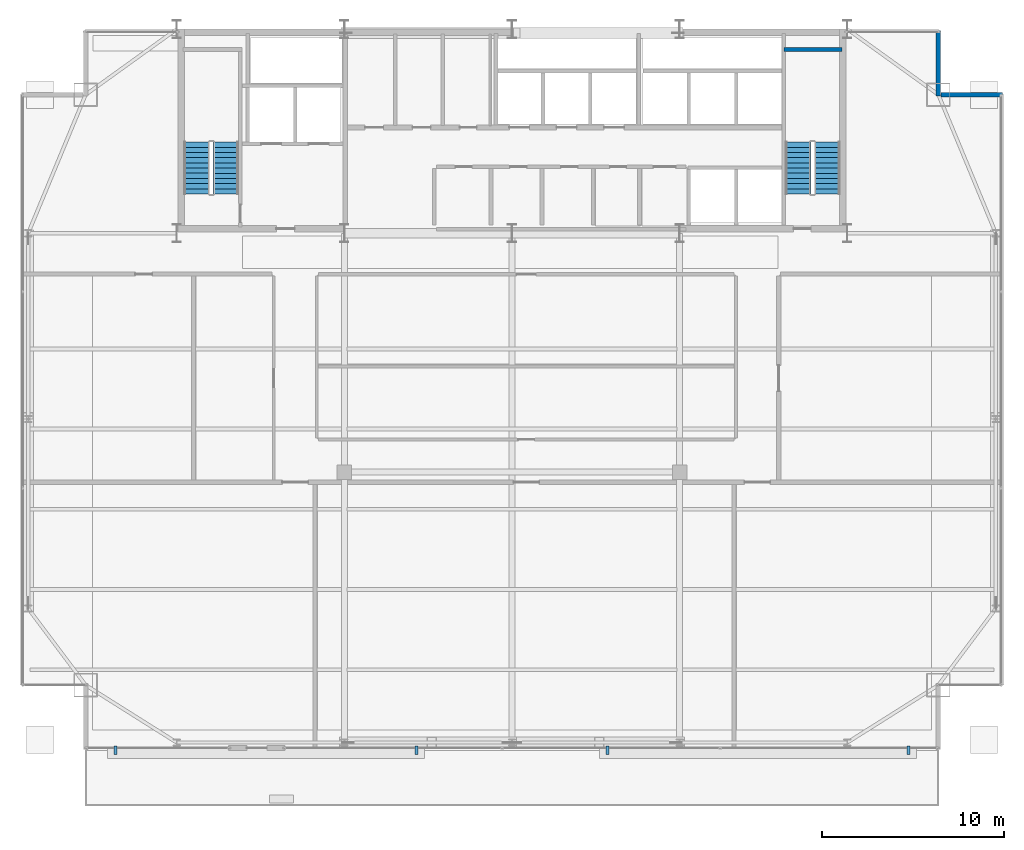
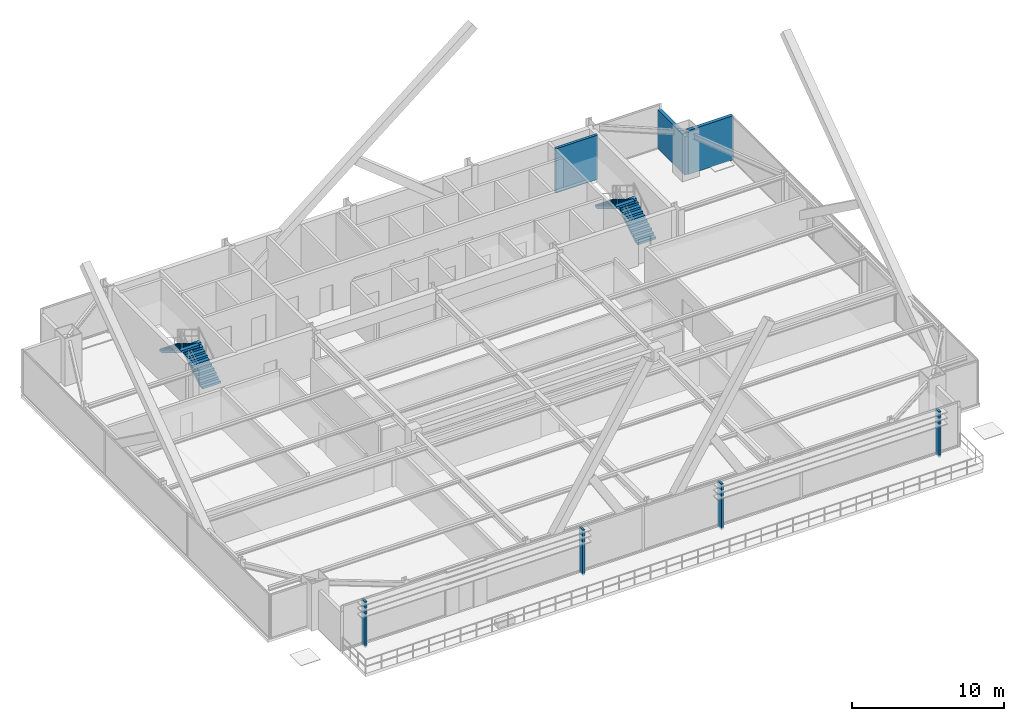
# One storey, part 31 of 33: 4 discrete accessories, 4 stair flights, 3 walls, 2 elements without a shape of their own.
"""IFC4 building model written with IfcOpenShell, lengths in metres."""

from ifc_helpers import new_model, si_unit, direction, frame, frame_2d, origin, origin_2d, place, context, subcontext, project, spatial, polyline, rectangle, outline, extrude, source, transform, mapped, material, layer, layer_set, type_object, type_shapes, element, aggregate, save


model = new_model("IFC4")

# Units and contexts
model_context = context("Model", 3, precision=1e-05, world=origin(), true_north=direction((0.0, 1.0)))
body_context = subcontext(model_context, "Body", "Model", "MODEL_VIEW")
ifc_project = project(units=[si_unit("LENGTHUNIT", "METRE"), si_unit("AREAUNIT", "SQUARE_METRE"), si_unit("VOLUMEUNIT", "CUBIC_METRE"), si_unit("PLANEANGLEUNIT", "RADIAN"), si_unit("MASSUNIT", "GRAM", prefix="KILO")], contexts=[model_context])

# Site, building, storey
site_placement = place(None, origin())
site = spatial("IfcSite", under=ifc_project, at=site_placement, CompositionType="ELEMENT")
building_placement = place(site_placement, origin())
building = spatial("IfcBuilding", under=site, at=building_placement, Name="Varnel Quay Broadcast Tower", CompositionType="ELEMENT")
storey_placement = place(building_placement, frame((0.0, 0.0, 145.800048828125)))
storey = spatial("IfcBuildingStorey", under=building, at=storey_placement, Name="L35", CompositionType="ELEMENT", Elevation=145.800048828125)

# Walls
ifc_material_1 = material(Name="Concrete CSA A23.3 C50/60", Category="concrete")
ifc_layer_1 = layer(ifc_material_1, 0.199951171875, Name="Concrete CSA A23.3 C50/60")
ifc_layer_set_1 = layer_set([ifc_layer_1], Name="Concrete CSA A23.3 C50/60")
wall_type_1 = type_object("IfcWallType", Name="Wall_CoreShaftShear200", PredefinedType="SHEAR", material=ifc_layer_set_1)
wall_1_placement = place(storey_placement, frame((48.919921875, 45.679931640625, 0.0), z_axis=(0.0, 0.0, 1.0), x_axis=(1.0, 0.0, 0.0)))
element("IfcWall", 1, at=wall_1_placement, inside=storey, type_object=wall_type_1, Name="L35 Stair 2 North Structural Wall", PredefinedType="SHEAR", context=body_context, shape_type="SweptSolid", body=[
    extrude(rectangle(XDim=3.18017578125, YDim=0.199951171875, at=frame_2d((1.590087890625, 0.0))), origin(), (0.0, 0.0, 1.0), 3.550048828125),
])
ifc_material_2 = material(Name="Precast Architectural Concrete C40/50", Category="concrete")
ifc_layer_2 = layer(ifc_material_2, 0.25, Name="Precast Architectural Concrete C40/50")
ifc_layer_set_2 = layer_set([ifc_layer_2], Name="Precast Architectural Concrete C40/50")
wall_type_2 = type_object("IfcWallType", Name="Wall_ExtTerrace250", PredefinedType="SOLIDWALL", material=ifc_layer_set_2)
wall_2_placement = place(storey_placement, frame((57.530029296875, 43.199951171875, 0.0), z_axis=(0.0, 0.0, 1.0), x_axis=(1.0, 0.0, 0.0)))
element("IfcWall", 2, at=wall_2_placement, inside=storey, type_object=wall_type_2, Name="L35 Mega-Column Notch Cladding Wall NNE1", PredefinedType="SOLIDWALL", context=body_context, shape_type="SweptSolid", body=[
    extrude(rectangle(XDim=3.389892578125, YDim=0.25, at=frame_2d((1.69482421875, 0.0))), origin(), (0.0, 0.0, 1.0), 3.530029296875),
])
wall_3_placement = place(storey_placement, frame((57.39990234375, 43.1201171875, 0.0), z_axis=(0.0, 0.0, 1.0), x_axis=(0.0, 1.0, 0.0)))
element("IfcWall", 3, at=wall_3_placement, inside=storey, type_object=wall_type_2, Name="L35 Mega-Column Notch Cladding Wall NNE2", PredefinedType="SOLIDWALL", context=body_context, shape_type="SweptSolid", body=[
    extrude(rectangle(XDim=3.599853515625, YDim=0.25, at=frame_2d((1.7998046875, 0.0))), origin(), (0.0, 0.0, 1.0), 3.10791015625),
])

# Stair, stair flights
ifc_material_3 = material(Name="Precast Structural Concrete C40/50", Category="concrete")
stair_type_1 = type_object("IfcStairType", Name="Stair_ST-01", PredefinedType="HALF_TURN_STAIR", material=ifc_material_3)
stair_1_placement = place(storey_placement, origin())
stair_1 = element("IfcStair", 4, at=stair_1_placement, inside=storey, type_object=stair_type_1, Name="L35 West Core Exit Stair 1", PredefinedType="HALF_TURN_STAIR")
stair_flight_type_1 = type_object("IfcStairFlightType", Name="Flight_ST-01", PredefinedType="STRAIGHT", material=ifc_material_3)
stair_flight_1_placement = place(storey_placement, frame((18.300048828125, 37.75, 0.0), z_axis=(0.0, 0.0, 1.0), x_axis=(0.0, 1.0, 0.0)))
stair_flight_1 = element("IfcStairFlight", 5, at=stair_flight_1_placement, type_object=stair_flight_type_1, Name="ST-01 flight 1", NumberOfRisers=11, NumberOfTreads=10, PredefinedType="STRAIGHT", RiserHeight=0.172727273, TreadLength=0.285, context=body_context, shape_type="SweptSolid", body=[
    extrude(outline(polyline([(0.0, 0.0), (0.0, 0.172607421875), (0.284912109375, 0.172607421875), (0.284912109375, 0.345458984375), (0.570068359375, 0.345458984375), (0.570068359375, 0.51806640625), (0.85498046875, 0.51806640625), (0.85498046875, 0.69091796875), (1.139892578125, 0.69091796875), (1.139892578125, 0.863525390625), (1.425048828125, 0.863525390625), (1.425048828125, 1.036376953125), (1.7099609375, 1.036376953125), (1.7099609375, 1.208984375), (1.9951171875, 1.208984375), (1.9951171875, 1.3818359375), (2.280029296875, 1.3818359375), (2.280029296875, 1.554443359375), (2.56494140625, 1.554443359375), (2.56494140625, 1.727294921875), (2.85009765625, 1.727294921875), (2.85009765625, 1.89990234375), (2.85009765625, 1.552001953125), (0.289306640625, 0.0), (0.0, 0.0)])), frame((0.0, 0.699951171875, 0.0), z_axis=(0.0, -1.0, 0.0), x_axis=(1.0, 0.0, 0.0)), (0.0, 0.0, 1.0), 1.39990234375),
])
stair_flight_2_placement = place(storey_placement, frame((16.699951171875, 40.60009765625, 1.89990234375), z_axis=(0.0, 0.0, 1.0), x_axis=(0.0, -1.0, 0.0)))
stair_flight_2 = element("IfcStairFlight", 6, at=stair_flight_2_placement, type_object=stair_flight_type_1, Name="ST-01 flight 2", NumberOfRisers=11, NumberOfTreads=10, PredefinedType="STRAIGHT", RiserHeight=0.172727273, TreadLength=0.285, context=body_context, shape_type="SweptSolid", body=[
    extrude(outline(polyline([(0.0, 0.0), (0.0, 0.172607421875), (0.284912109375, 0.172607421875), (0.284912109375, 0.345458984375), (0.570068359375, 0.345458984375), (0.570068359375, 0.51806640625), (0.85498046875, 0.51806640625), (0.85498046875, 0.69091796875), (1.139892578125, 0.69091796875), (1.139892578125, 0.863525390625), (1.425048828125, 0.863525390625), (1.425048828125, 1.036376953125), (1.7099609375, 1.036376953125), (1.7099609375, 1.208984375), (1.9951171875, 1.208984375), (1.9951171875, 1.3818359375), (2.280029296875, 1.3818359375), (2.280029296875, 1.554443359375), (2.56494140625, 1.554443359375), (2.56494140625, 1.727294921875), (2.85009765625, 1.727294921875), (2.85009765625, 1.89990234375), (2.85009765625, 1.552001953125), (0.289306640625, 0.0), (0.0, 0.0)])), frame((0.0, 0.699951171875, 0.0), z_axis=(0.0, -1.0, 0.0), x_axis=(1.0, 0.0, 0.0)), (0.0, 0.0, 1.0), 1.39990234375),
])
aggregate(stair_1, [stair_flight_1, stair_flight_2])

stair_type_2 = type_object("IfcStairType", Name="Stair_ST-02", PredefinedType="HALF_TURN_STAIR", material=ifc_material_3)
stair_2_placement = place(storey_placement, origin())
stair_2 = element("IfcStair", 7, at=stair_2_placement, inside=storey, type_object=stair_type_2, Name="L35 East Core Exit Stair 2", PredefinedType="HALF_TURN_STAIR")
stair_flight_type_2 = type_object("IfcStairFlightType", Name="Flight_ST-02", PredefinedType="STRAIGHT", material=ifc_material_3)
stair_flight_3_placement = place(storey_placement, frame((51.300048828125, 37.75, 0.0), z_axis=(0.0, 0.0, 1.0), x_axis=(0.0, 1.0, 0.0)))
stair_flight_3 = element("IfcStairFlight", 8, at=stair_flight_3_placement, type_object=stair_flight_type_2, Name="ST-02 flight 1", NumberOfRisers=11, NumberOfTreads=10, PredefinedType="STRAIGHT", RiserHeight=0.172727273, TreadLength=0.285, context=body_context, shape_type="SweptSolid", body=[
    extrude(outline(polyline([(0.0, 0.0), (0.0, 0.172607421875), (0.284912109375, 0.172607421875), (0.284912109375, 0.345458984375), (0.570068359375, 0.345458984375), (0.570068359375, 0.51806640625), (0.85498046875, 0.51806640625), (0.85498046875, 0.69091796875), (1.139892578125, 0.69091796875), (1.139892578125, 0.863525390625), (1.425048828125, 0.863525390625), (1.425048828125, 1.036376953125), (1.7099609375, 1.036376953125), (1.7099609375, 1.208984375), (1.9951171875, 1.208984375), (1.9951171875, 1.3818359375), (2.280029296875, 1.3818359375), (2.280029296875, 1.554443359375), (2.56494140625, 1.554443359375), (2.56494140625, 1.727294921875), (2.85009765625, 1.727294921875), (2.85009765625, 1.89990234375), (2.85009765625, 1.552001953125), (0.289306640625, 0.0), (0.0, 0.0)])), frame((0.0, 0.699951171875, 0.0), z_axis=(0.0, -1.0, 0.0), x_axis=(1.0, 0.0, 0.0)), (0.0, 0.0, 1.0), 1.39990234375),
])
stair_flight_4_placement = place(storey_placement, frame((49.699951171875, 40.60009765625, 1.89990234375), z_axis=(0.0, 0.0, 1.0), x_axis=(0.0, -1.0, 0.0)))
stair_flight_4 = element("IfcStairFlight", 9, at=stair_flight_4_placement, type_object=stair_flight_type_2, Name="ST-02 flight 2", NumberOfRisers=11, NumberOfTreads=10, PredefinedType="STRAIGHT", RiserHeight=0.172727273, TreadLength=0.285, context=body_context, shape_type="SweptSolid", body=[
    extrude(outline(polyline([(0.0, 0.0), (0.0, 0.172607421875), (0.284912109375, 0.172607421875), (0.284912109375, 0.345458984375), (0.570068359375, 0.345458984375), (0.570068359375, 0.51806640625), (0.85498046875, 0.51806640625), (0.85498046875, 0.69091796875), (1.139892578125, 0.69091796875), (1.139892578125, 0.863525390625), (1.425048828125, 0.863525390625), (1.425048828125, 1.036376953125), (1.7099609375, 1.036376953125), (1.7099609375, 1.208984375), (1.9951171875, 1.208984375), (1.9951171875, 1.3818359375), (2.280029296875, 1.3818359375), (2.280029296875, 1.554443359375), (2.56494140625, 1.554443359375), (2.56494140625, 1.727294921875), (2.85009765625, 1.727294921875), (2.85009765625, 1.89990234375), (2.85009765625, 1.552001953125), (0.289306640625, 0.0), (0.0, 0.0)])), frame((0.0, 0.699951171875, 0.0), z_axis=(0.0, -1.0, 0.0), x_axis=(1.0, 0.0, 0.0)), (0.0, 0.0, 1.0), 1.39990234375),
])
aggregate(stair_2, [stair_flight_3, stair_flight_4])

# Discrete accessories
ifc_material_4 = material(Name="Anodised Bronze Aluminium 6063-T6", Category="aluminium")
ifc_layer_3 = layer(ifc_material_4, 0.47998046875, Name="Anodised Bronze Aluminium 6063-T6")
ifc_layer_set_3 = layer_set([ifc_layer_3], Name="Anodised Bronze Aluminium 6063-T6")
discrete_accessory_type = type_object("IfcDiscreteAccessoryType", Name="Acc_FacadeBracket", PredefinedType="BRACKET", material=ifc_layer_set_3)
shared_shape = source(origin(), body_context, "Body", "SweptSolid", [
    extrude(rectangle(XDim=0.159912109375, YDim=0.47998046875, at=origin_2d()), origin(), (0.0, 0.0, 1.0), 3.64990234375),
])
type_shapes(discrete_accessory_type, [shared_shape])
for number, where, z_axis, x_axis, name in (
    (10, (12.25, 7.219970703125, -0.14990234375), (0.0, 0.0, 1.0), (1.0, 0.0, 0.0), "L35 Lobe 1 Louvre Support Bracket 1"),
    (11, (28.75, 7.219970703125, -0.14990234375), (0.0, 0.0, 1.0), (1.0, 0.0, 0.0), "L35 Lobe 1 Louvre Support Bracket 2"),
    (12, (39.25, 7.219970703125, -0.14990234375), (0.0, 0.0, 1.0), (1.0, 0.0, 0.0), "L35 Lobe 2 Louvre Support Bracket 1"),
    (13, (55.75, 7.219970703125, -0.14990234375), (0.0, 0.0, 1.0), (1.0, 0.0, 0.0), "L35 Lobe 2 Louvre Support Bracket 2"),
):
    element("IfcDiscreteAccessory", number, at=place(storey_placement, frame(where, z_axis=z_axis, x_axis=x_axis)), inside=storey, type_object=discrete_accessory_type, Name=name, PredefinedType="BRACKET", context=body_context, shape_type="MappedRepresentation", body=[
        mapped(shared_shape, transform((0.0, 0.0, 0.0), x_axis=(1.0, 0.0, 0.0), y_axis=(0.0, 1.0, 0.0), z_axis=(0.0, 0.0, 1.0), scale=1.0)),
    ])

save(model, "model.ifc")
